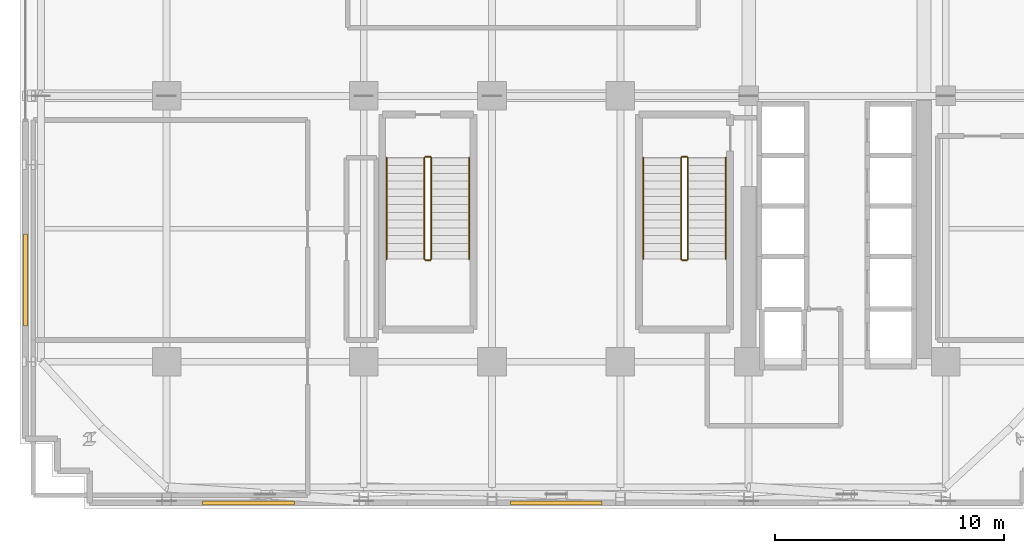
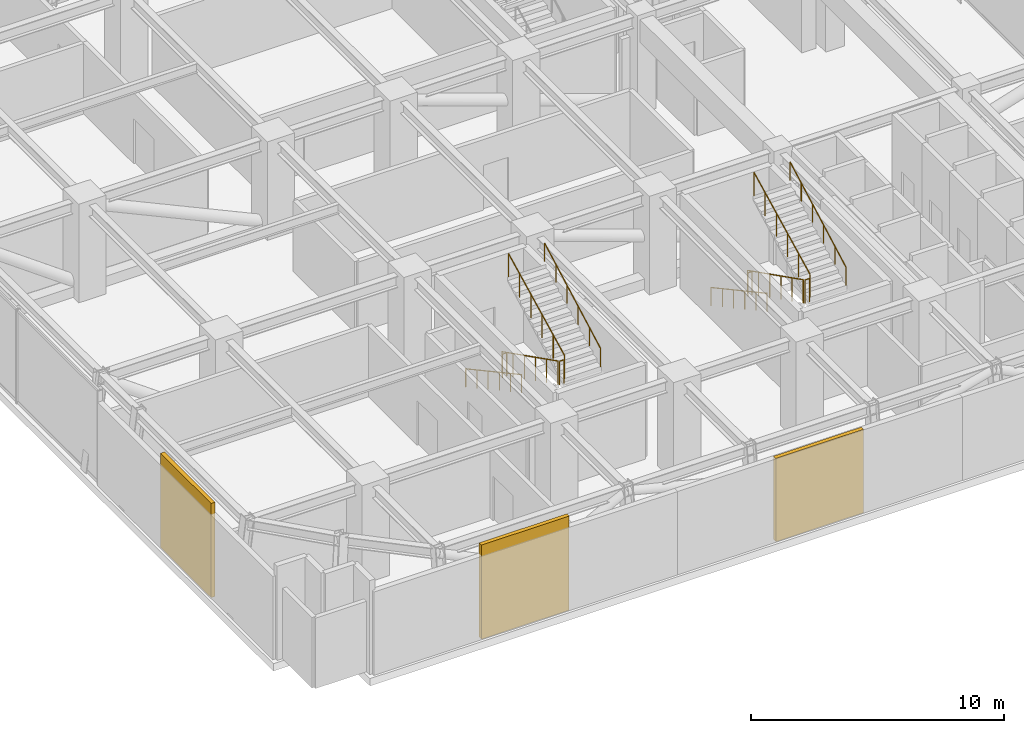
# One storey, part 12 of 15: 12 railings, 3 shading devices.
"""IFC4 building model written with IfcOpenShell, lengths in metres."""

from ifc_helpers import new_model, si_unit, direction, frame, origin, origin_2d, place, context, subcontext, project, spatial, rectangle, circle, extrude, source, transform, mapped, material, layer, layer_set, type_object, element, save


model = new_model("IFC4")

# Units and contexts
model_context = context("Model", 3, precision=1e-05, world=origin(), true_north=direction((0.0, 1.0)))
body_context = subcontext(model_context, "Body", "Model", "MODEL_VIEW")
ifc_project = project(units=[si_unit("LENGTHUNIT", "METRE"), si_unit("AREAUNIT", "SQUARE_METRE"), si_unit("VOLUMEUNIT", "CUBIC_METRE"), si_unit("PLANEANGLEUNIT", "RADIAN"), si_unit("MASSUNIT", "GRAM", prefix="KILO")], contexts=[model_context])

# Site, building, storey
site_placement = place(None, origin())
site = spatial("IfcSite", under=ifc_project, at=site_placement, CompositionType="ELEMENT")
building_placement = place(site_placement, origin())
building = spatial("IfcBuilding", under=site, at=building_placement, Name="Nahalor Promenade Grand Hotel", CompositionType="ELEMENT")
storey_placement = place(building_placement, frame((0.0, 0.0, 144.199951171875)))
storey = spatial("IfcBuildingStorey", under=building, at=storey_placement, Name="L36", CompositionType="ELEMENT", Elevation=144.199951171875)

# Railings
ifc_material_1 = material(Name="Steel S355JR", Category="steel")
railing_type_1 = type_object("IfcRailingType", Name="Steel Stair Guardrail 1150 mm", PredefinedType="GUARDRAIL", material=ifc_material_1)
railing_1_placement = place(storey_placement, frame((5.449951171875, -8.10009765625, 0.17138671875)))
element("IfcRailing", 1, at=railing_1_placement, inside=storey, type_object=railing_type_1, Name="L36 ST2 stair guard 1", PredefinedType="GUARDRAIL", context=body_context, shape_type="SweptSolid", body=[
    extrude(circle(Radius=0.024048, at=origin_2d()), frame((0.0, 0.0, 1.1259765625), z_axis=(0.0, -0.892902951771, 0.450249174034), x_axis=(1.0, 0.0, 0.0)), (0.0, 0.0, 1.0), 4.949951171875),
    extrude(circle(Radius=0.020996, at=origin_2d()), origin(), (0.0, 0.0, 1.0), 1.099853515625),
    extrude(circle(Radius=0.020996, at=origin_2d()), frame((0.0, -0.884033203125, 0.44580078125)), (0.0, 0.0, 1.0), 1.099853515625),
    extrude(circle(Radius=0.020996, at=origin_2d()), frame((0.0, -1.76806640625, 0.8916015625)), (0.0, 0.0, 1.0), 1.099853515625),
    extrude(circle(Radius=0.020996, at=origin_2d()), frame((0.0, -2.65185546875, 1.337158203125)), (0.0, 0.0, 1.0), 1.099853515625),
    extrude(circle(Radius=0.020996, at=origin_2d()), frame((0.0, -3.535888671875, 1.782958984375)), (0.0, 0.0, 1.0), 1.099853515625),
    extrude(circle(Radius=0.020996, at=origin_2d()), frame((0.0, -4.419921875, 2.228759765625)), (0.0, 0.0, 1.0), 1.099853515625),
])
railing_2_placement = place(storey_placement, frame((5.5, -12.570068359375, 2.400146484375)))
element("IfcRailing", 2, at=railing_2_placement, inside=storey, type_object=railing_type_1, Name="L36 ST2 stair guard 2", PredefinedType="GUARDRAIL", context=body_context, shape_type="SweptSolid", body=[
    extrude(circle(Radius=0.024048, at=origin_2d()), frame((0.0, 0.0, 1.1259765625), z_axis=(1.0, 0.0, 0.0), x_axis=(0.0, 1.0, 0.0)), (0.0, 0.0, 1.0), 0.199951171875),
    extrude(circle(Radius=0.020996, at=origin_2d()), origin(), (0.0, 0.0, 1.0), 1.099853515625),
    extrude(circle(Radius=0.020996, at=origin_2d()), frame((0.199951171875, 0.0, 0.0)), (0.0, 0.0, 1.0), 1.099853515625),
])
railing_3_placement = place(storey_placement, frame((5.75, -12.52001953125, 2.571533203125)))
element("IfcRailing", 3, at=railing_3_placement, inside=storey, type_object=railing_type_1, Name="L36 ST2 stair guard 3", PredefinedType="GUARDRAIL", context=body_context, shape_type="SweptSolid", body=[
    extrude(circle(Radius=0.024048, at=origin_2d()), frame((0.0, 0.0, 1.1259765625), z_axis=(0.0, 0.89292277971, 0.450209850486), x_axis=(-1.0, 0.0, 0.0)), (0.0, 0.0, 1.0), 4.949951171875),
    extrude(circle(Radius=0.020996, at=origin_2d()), origin(), (0.0, 0.0, 1.0), 1.099853515625),
    extrude(circle(Radius=0.020996, at=origin_2d()), frame((0.0, 0.884033203125, 0.44580078125)), (0.0, 0.0, 1.0), 1.099853515625),
    extrude(circle(Radius=0.020996, at=origin_2d()), frame((0.0, 1.76806640625, 0.891357421875)), (0.0, 0.0, 1.0), 1.099853515625),
    extrude(circle(Radius=0.020996, at=origin_2d()), frame((0.0, 2.65185546875, 1.337158203125)), (0.0, 0.0, 1.0), 1.099853515625),
    extrude(circle(Radius=0.020996, at=origin_2d()), frame((0.0, 3.535888671875, 1.78271484375)), (0.0, 0.0, 1.0), 1.099853515625),
    extrude(circle(Radius=0.020996, at=origin_2d()), frame((0.0, 4.419921875, 2.228515625)), (0.0, 0.0, 1.0), 1.099853515625),
])
railing_4_placement = place(storey_placement, frame((5.5, -8.050048828125, 0.0)))
element("IfcRailing", 4, at=railing_4_placement, inside=storey, type_object=railing_type_1, Name="L36 ST2 stair guard 4", PredefinedType="GUARDRAIL", context=body_context, shape_type="SweptSolid", body=[
    extrude(circle(Radius=0.024048, at=origin_2d()), frame((0.0, 0.0, 1.1259765625), z_axis=(1.0, 0.0, 0.0), x_axis=(0.0, 1.0, 0.0)), (0.0, 0.0, 1.0), 0.199951171875),
    extrude(circle(Radius=0.020996, at=origin_2d()), origin(), (0.0, 0.0, 1.0), 1.099853515625),
    extrude(circle(Radius=0.020996, at=origin_2d()), frame((0.199951171875, 0.0, 0.0)), (0.0, 0.0, 1.0), 1.099853515625),
])
railing_5_placement = place(storey_placement, frame((-5.75, -8.10009765625, 0.17138671875)))
element("IfcRailing", 5, at=railing_5_placement, inside=storey, type_object=railing_type_1, Name="L36 ST3 stair guard 1", PredefinedType="GUARDRAIL", context=body_context, shape_type="SweptSolid", body=[
    extrude(circle(Radius=0.024048, at=origin_2d()), frame((0.0, 0.0, 1.1259765625), z_axis=(0.0, -0.892902951771, 0.450249174034), x_axis=(1.0, 0.0, 0.0)), (0.0, 0.0, 1.0), 4.949951171875),
    extrude(circle(Radius=0.020996, at=origin_2d()), origin(), (0.0, 0.0, 1.0), 1.099853515625),
    extrude(circle(Radius=0.020996, at=origin_2d()), frame((0.0, -0.884033203125, 0.44580078125)), (0.0, 0.0, 1.0), 1.099853515625),
    extrude(circle(Radius=0.020996, at=origin_2d()), frame((0.0, -1.76806640625, 0.8916015625)), (0.0, 0.0, 1.0), 1.099853515625),
    extrude(circle(Radius=0.020996, at=origin_2d()), frame((0.0, -2.65185546875, 1.337158203125)), (0.0, 0.0, 1.0), 1.099853515625),
    extrude(circle(Radius=0.020996, at=origin_2d()), frame((0.0, -3.535888671875, 1.782958984375)), (0.0, 0.0, 1.0), 1.099853515625),
    extrude(circle(Radius=0.020996, at=origin_2d()), frame((0.0, -4.419921875, 2.228759765625)), (0.0, 0.0, 1.0), 1.099853515625),
])
railing_6_placement = place(storey_placement, frame((-5.699951171875, -12.570068359375, 2.400146484375)))
element("IfcRailing", 6, at=railing_6_placement, inside=storey, type_object=railing_type_1, Name="L36 ST3 stair guard 2", PredefinedType="GUARDRAIL", context=body_context, shape_type="SweptSolid", body=[
    extrude(circle(Radius=0.024048, at=origin_2d()), frame((0.0, 0.0, 1.1259765625), z_axis=(1.0, 0.0, 0.0), x_axis=(0.0, 1.0, 0.0)), (0.0, 0.0, 1.0), 0.199951171875),
    extrude(circle(Radius=0.020996, at=origin_2d()), origin(), (0.0, 0.0, 1.0), 1.099853515625),
    extrude(circle(Radius=0.020996, at=origin_2d()), frame((0.199951171875, 0.0, 0.0)), (0.0, 0.0, 1.0), 1.099853515625),
])
railing_7_placement = place(storey_placement, frame((-5.449951171875, -12.52001953125, 2.571533203125)))
element("IfcRailing", 7, at=railing_7_placement, inside=storey, type_object=railing_type_1, Name="L36 ST3 stair guard 3", PredefinedType="GUARDRAIL", context=body_context, shape_type="SweptSolid", body=[
    extrude(circle(Radius=0.024048, at=origin_2d()), frame((0.0, 0.0, 1.1259765625), z_axis=(0.0, 0.89292277971, 0.450209850486), x_axis=(-1.0, 0.0, 0.0)), (0.0, 0.0, 1.0), 4.949951171875),
    extrude(circle(Radius=0.020996, at=origin_2d()), origin(), (0.0, 0.0, 1.0), 1.099853515625),
    extrude(circle(Radius=0.020996, at=origin_2d()), frame((0.0, 0.884033203125, 0.44580078125)), (0.0, 0.0, 1.0), 1.099853515625),
    extrude(circle(Radius=0.020996, at=origin_2d()), frame((0.0, 1.76806640625, 0.891357421875)), (0.0, 0.0, 1.0), 1.099853515625),
    extrude(circle(Radius=0.020996, at=origin_2d()), frame((0.0, 2.65185546875, 1.337158203125)), (0.0, 0.0, 1.0), 1.099853515625),
    extrude(circle(Radius=0.020996, at=origin_2d()), frame((0.0, 3.535888671875, 1.78271484375)), (0.0, 0.0, 1.0), 1.099853515625),
    extrude(circle(Radius=0.020996, at=origin_2d()), frame((0.0, 4.419921875, 2.228515625)), (0.0, 0.0, 1.0), 1.099853515625),
])
railing_8_placement = place(storey_placement, frame((-5.699951171875, -8.050048828125, 0.0)))
element("IfcRailing", 8, at=railing_8_placement, inside=storey, type_object=railing_type_1, Name="L36 ST3 stair guard 4", PredefinedType="GUARDRAIL", context=body_context, shape_type="SweptSolid", body=[
    extrude(circle(Radius=0.024048, at=origin_2d()), frame((0.0, 0.0, 1.1259765625), z_axis=(1.0, 0.0, 0.0), x_axis=(0.0, 1.0, 0.0)), (0.0, 0.0, 1.0), 0.199951171875),
    extrude(circle(Radius=0.020996, at=origin_2d()), origin(), (0.0, 0.0, 1.0), 1.099853515625),
    extrude(circle(Radius=0.020996, at=origin_2d()), frame((0.199951171875, 0.0, 0.0)), (0.0, 0.0, 1.0), 1.099853515625),
])
railing_type_2 = type_object("IfcRailingType", Name="Steel Stair Handrail 900 mm", PredefinedType="HANDRAIL", material=ifc_material_1)
railing_9_placement = place(storey_placement, frame((3.800048828125, -8.10009765625, 0.17138671875)))
element("IfcRailing", 9, at=railing_9_placement, inside=storey, type_object=railing_type_2, Name="L36 ST2 stair handrail 1", PredefinedType="HANDRAIL", context=body_context, shape_type="SweptSolid", body=[
    extrude(circle(Radius=0.024048, at=origin_2d()), frame((0.0, 0.0, 0.8759765625), z_axis=(0.0, -0.878790038763, 0.477208620806), x_axis=(1.0, 0.0, 0.0)), (0.0, 0.0, 1.0), 5.029541015625),
    extrude(circle(Radius=0.020996, at=origin_2d()), origin(), (0.0, 0.0, 1.0), 0.849853515625),
    extrude(circle(Radius=0.020996, at=origin_2d()), frame((0.0, -0.884033203125, 0.47998046875)), (0.0, 0.0, 1.0), 0.849853515625),
    extrude(circle(Radius=0.020996, at=origin_2d()), frame((0.0, -1.76806640625, 0.9599609375)), (0.0, 0.0, 1.0), 0.849853515625),
    extrude(circle(Radius=0.020996, at=origin_2d()), frame((0.0, -2.65185546875, 1.440185546875)), (0.0, 0.0, 1.0), 0.849853515625),
    extrude(circle(Radius=0.020996, at=origin_2d()), frame((0.0, -3.535888671875, 1.920166015625)), (0.0, 0.0, 1.0), 0.849853515625),
    extrude(circle(Radius=0.020996, at=origin_2d()), frame((0.0, -4.419921875, 2.400146484375)), (0.0, 0.0, 1.0), 0.849853515625),
])
railing_10_placement = place(storey_placement, frame((7.39990234375, -12.52001953125, 2.571533203125)))
element("IfcRailing", 10, at=railing_10_placement, inside=storey, type_object=railing_type_2, Name="L36 ST2 stair handrail 2", PredefinedType="HANDRAIL", context=body_context, shape_type="SweptSolid", body=[
    extrude(circle(Radius=0.024048, at=origin_2d()), frame((0.0, 0.0, 0.8759765625), z_axis=(0.0, 0.878810394976, 0.477171132491), x_axis=(-1.0, 0.0, 0.0)), (0.0, 0.0, 1.0), 5.029541015625),
    extrude(circle(Radius=0.020996, at=origin_2d()), origin(), (0.0, 0.0, 1.0), 0.849853515625),
    extrude(circle(Radius=0.020996, at=origin_2d()), frame((0.0, 0.884033203125, 0.47998046875)), (0.0, 0.0, 1.0), 0.849853515625),
    extrude(circle(Radius=0.020996, at=origin_2d()), frame((0.0, 1.76806640625, 0.9599609375)), (0.0, 0.0, 1.0), 0.849853515625),
    extrude(circle(Radius=0.020996, at=origin_2d()), frame((0.0, 2.65185546875, 1.43994140625)), (0.0, 0.0, 1.0), 0.849853515625),
    extrude(circle(Radius=0.020996, at=origin_2d()), frame((0.0, 3.535888671875, 1.919921875)), (0.0, 0.0, 1.0), 0.849853515625),
    extrude(circle(Radius=0.020996, at=origin_2d()), frame((0.0, 4.419921875, 2.39990234375)), (0.0, 0.0, 1.0), 0.849853515625),
])
railing_11_placement = place(storey_placement, frame((-7.39990234375, -8.10009765625, 0.17138671875)))
element("IfcRailing", 11, at=railing_11_placement, inside=storey, type_object=railing_type_2, Name="L36 ST3 stair handrail 1", PredefinedType="HANDRAIL", context=body_context, shape_type="SweptSolid", body=[
    extrude(circle(Radius=0.024048, at=origin_2d()), frame((0.0, 0.0, 0.8759765625), z_axis=(0.0, -0.878790038763, 0.477208620806), x_axis=(1.0, 0.0, 0.0)), (0.0, 0.0, 1.0), 5.029541015625),
    extrude(circle(Radius=0.020996, at=origin_2d()), origin(), (0.0, 0.0, 1.0), 0.849853515625),
    extrude(circle(Radius=0.020996, at=origin_2d()), frame((0.0, -0.884033203125, 0.47998046875)), (0.0, 0.0, 1.0), 0.849853515625),
    extrude(circle(Radius=0.020996, at=origin_2d()), frame((0.0, -1.76806640625, 0.9599609375)), (0.0, 0.0, 1.0), 0.849853515625),
    extrude(circle(Radius=0.020996, at=origin_2d()), frame((0.0, -2.65185546875, 1.440185546875)), (0.0, 0.0, 1.0), 0.849853515625),
    extrude(circle(Radius=0.020996, at=origin_2d()), frame((0.0, -3.535888671875, 1.920166015625)), (0.0, 0.0, 1.0), 0.849853515625),
    extrude(circle(Radius=0.020996, at=origin_2d()), frame((0.0, -4.419921875, 2.400146484375)), (0.0, 0.0, 1.0), 0.849853515625),
])
railing_12_placement = place(storey_placement, frame((-3.800048828125, -12.52001953125, 2.571533203125)))
element("IfcRailing", 12, at=railing_12_placement, inside=storey, type_object=railing_type_2, Name="L36 ST3 stair handrail 2", PredefinedType="HANDRAIL", context=body_context, shape_type="SweptSolid", body=[
    extrude(circle(Radius=0.024048, at=origin_2d()), frame((0.0, 0.0, 0.8759765625), z_axis=(0.0, 0.878810394976, 0.477171132491), x_axis=(-1.0, 0.0, 0.0)), (0.0, 0.0, 1.0), 5.029541015625),
    extrude(circle(Radius=0.020996, at=origin_2d()), origin(), (0.0, 0.0, 1.0), 0.849853515625),
    extrude(circle(Radius=0.020996, at=origin_2d()), frame((0.0, 0.884033203125, 0.47998046875)), (0.0, 0.0, 1.0), 0.849853515625),
    extrude(circle(Radius=0.020996, at=origin_2d()), frame((0.0, 1.76806640625, 0.9599609375)), (0.0, 0.0, 1.0), 0.849853515625),
    extrude(circle(Radius=0.020996, at=origin_2d()), frame((0.0, 2.65185546875, 1.43994140625)), (0.0, 0.0, 1.0), 0.849853515625),
    extrude(circle(Radius=0.020996, at=origin_2d()), frame((0.0, 3.535888671875, 1.919921875)), (0.0, 0.0, 1.0), 0.849853515625),
    extrude(circle(Radius=0.020996, at=origin_2d()), frame((0.0, 4.419921875, 2.39990234375)), (0.0, 0.0, 1.0), 0.849853515625),
])

# Shading devices
ifc_material_2 = material(Name="Anodised Bronze Aluminium EN AW-6063 T6", Category="aluminium")
ifc_layer = layer(ifc_material_2, 0.179931640625)
ifc_layer_set = layer_set([ifc_layer], Name="Anodised Bronze Aluminium EN AW-6063 T6")
shading_device_type = type_object("IfcShadingDeviceType", Name="Shade-PlantLouvre-Bronze", PredefinedType="USERDEFINED", material=ifc_layer_set)
shared_shape_1 = source(origin(), body_context, "Body", "SweptSolid", [
    extrude(rectangle(XDim=4.0, YDim=0.179931640625, at=origin_2d()), origin(), (0.0, 0.0, 1.0), 4.5400390625),
])
for number, where, z_axis, x_axis, name in (
    (13, (-13.429931640625, -23.159912109375, 0.0), (0.0, 0.0, 1.0), (1.0, 0.0, 0.0), "LV-L36-SL"),
    (14, (-23.159912109375, -13.429931640625, 0.0), (0.0, 0.0, 1.0), (0.0, 1.0, 0.0), "LV-L36-WL"),
):
    element("IfcShadingDevice", number, at=place(storey_placement, frame(where, z_axis=z_axis, x_axis=x_axis)), inside=storey, type_object=shading_device_type, Name=name, ObjectType="LOUVRE", PredefinedType="USERDEFINED", context=body_context, shape_type="MappedRepresentation", body=[
        mapped(shared_shape_1, transform((0.0, 0.0, 0.0), scale=1.0)),
    ])
shared_shape_2 = source(origin(), body_context, "Body", "SweptSolid", [
    extrude(rectangle(XDim=4.0, YDim=0.179931640625, at=origin_2d()), origin(), (0.0, 0.0, 1.0), 4.02001953125),
])
shading_device_placement = place(storey_placement, frame((0.0, -23.159912109375, 0.0), z_axis=(0.0, 0.0, 1.0), x_axis=(1.0, 0.0, 0.0)))
element("IfcShadingDevice", 15, at=shading_device_placement, inside=storey, type_object=shading_device_type, Name="LV-L36-SM", ObjectType="LOUVRE", PredefinedType="USERDEFINED", context=body_context, shape_type="MappedRepresentation", body=[
    mapped(shared_shape_2, transform((0.0, 0.0, 0.0), scale=1.0)),
])

save(model, "model.ifc")
